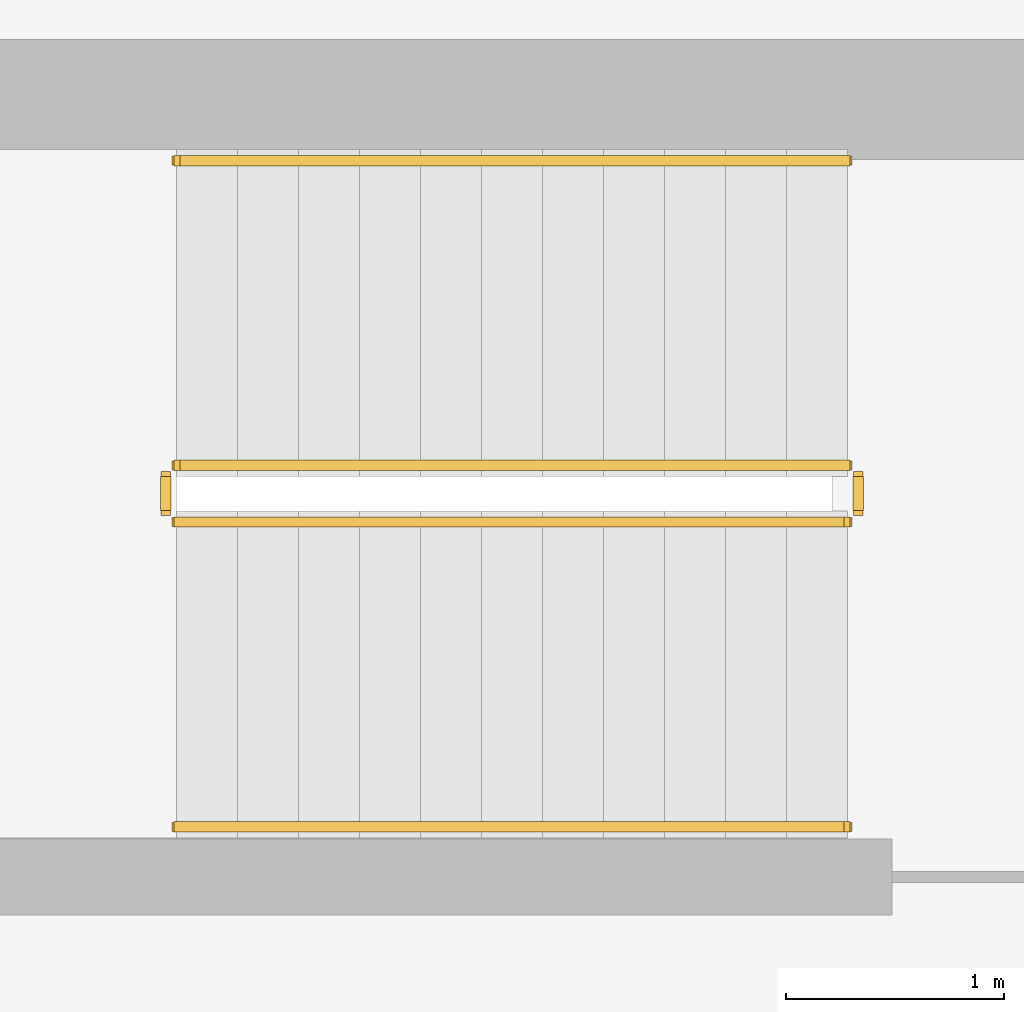
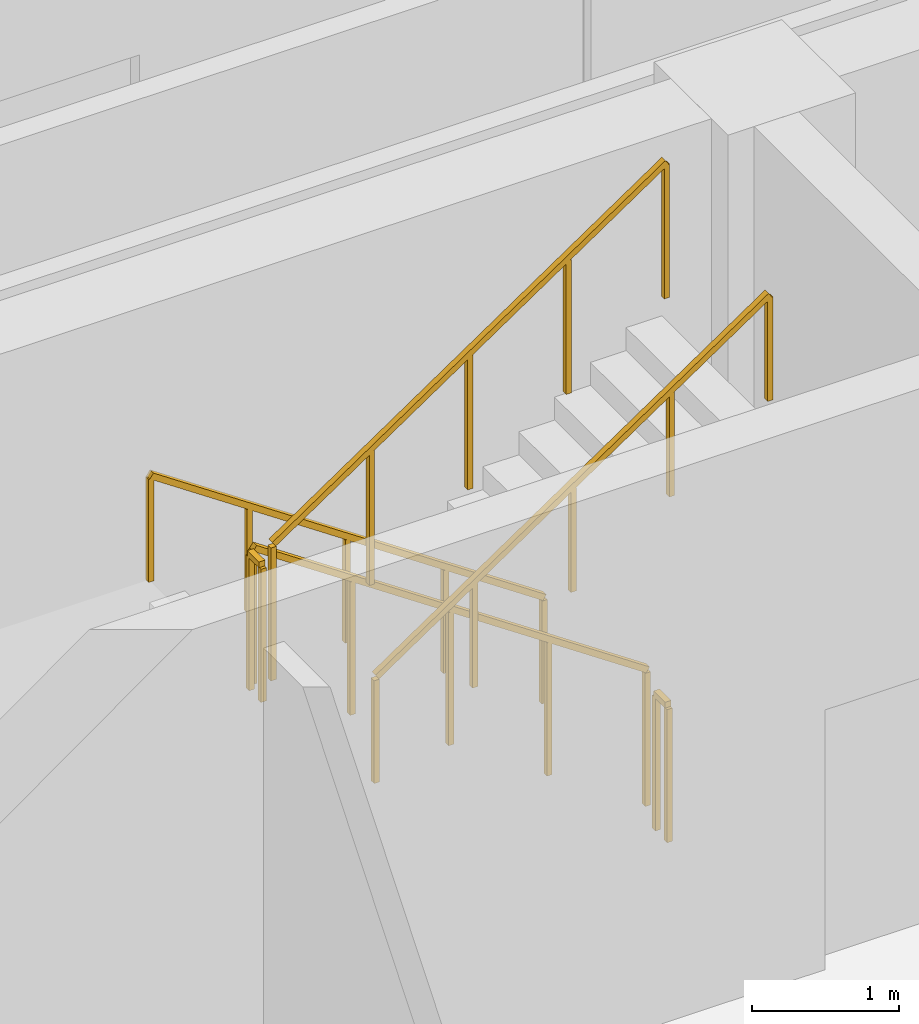
# One storey, part 11 of 13: 6 railings.
"""IFC4 building model written with IfcOpenShell, lengths in metres."""

from ifc_helpers import new_model, si_unit, direction, frame, origin, origin_2d, place, context, subcontext, project, spatial, rectangle, extrude, material, type_object, element, save


model = new_model("IFC4")

# Units and contexts
model_context = context("Model", 3, precision=1e-05, world=origin(), true_north=direction((0.0, 1.0)))
body_context = subcontext(model_context, "Body", "Model", "MODEL_VIEW")
ifc_project = project(units=[si_unit("LENGTHUNIT", "METRE"), si_unit("AREAUNIT", "SQUARE_METRE"), si_unit("VOLUMEUNIT", "CUBIC_METRE"), si_unit("PLANEANGLEUNIT", "RADIAN"), si_unit("MASSUNIT", "GRAM", prefix="KILO")], contexts=[model_context])

# Site, building, storey
site_placement = place(None, origin())
site = spatial("IfcSite", under=ifc_project, at=site_placement, CompositionType="ELEMENT")
building_placement = place(site_placement, origin())
building = spatial("IfcBuilding", under=site, at=building_placement, Name="Zarnavel Station Tower", CompositionType="ELEMENT")
storey_placement = place(building_placement, frame((0.0, 0.0, 183.85009765625)))
storey = spatial("IfcBuildingStorey", under=building, at=storey_placement, Name="L50", CompositionType="ELEMENT", Elevation=183.85009765625)

# Railings
ifc_material_1 = material(Name="Painted Steel S355J2 Balustrade", Category="steel")
railing_type_1 = type_object("IfcRailingType", Name="GR_INT_1150", PredefinedType="GUARDRAIL", material=ifc_material_1)
railing_1_placement = place(storey_placement, frame((19.47998046875, 35.3701171875, 0.189453125)))
element("IfcRailing", 1, at=railing_1_placement, inside=storey, type_object=railing_type_1, Name="L50 ST1 stair guard 1", PredefinedType="GUARDRAIL", context=body_context, shape_type="SweptSolid", body=[
    extrude(rectangle(XDim=0.048095703125, YDim=0.048095703125, at=origin_2d()), frame((-0.001708984375, 0.0, 1.126953125), z_axis=(-0.828050405681, 0.0, 0.560653659268), x_axis=(0.0, -1.0, 0.0)), (0.0, 0.0, 1.0), 3.715576171875),
    extrude(rectangle(XDim=0.0419921875, YDim=0.0419921875, at=origin_2d()), origin(), (0.0, 0.0, 1.0), 1.101806640625),
    extrude(rectangle(XDim=0.0419921875, YDim=0.0419921875, at=origin_2d()), frame((-0.77001953125, 0.0, 0.521484375)), (0.0, 0.0, 1.0), 1.101806640625),
    extrude(rectangle(XDim=0.0419921875, YDim=0.0419921875, at=origin_2d()), frame((-1.5400390625, 0.0, 1.042724609375)), (0.0, 0.0, 1.0), 1.101806640625),
    extrude(rectangle(XDim=0.0419921875, YDim=0.0419921875, at=origin_2d()), frame((-2.31005859375, 0.0, 1.56396484375)), (0.0, 0.0, 1.0), 1.101806640625),
    extrude(rectangle(XDim=0.0419921875, YDim=0.0419921875, at=origin_2d()), frame((-3.080078125, 0.0, 2.08544921875)), (0.0, 0.0, 1.0), 1.101806640625),
])
railing_2_placement = place(storey_placement, frame((16.35009765625, 35.320068359375, 2.27490234375)))
element("IfcRailing", 2, at=railing_2_placement, inside=storey, type_object=railing_type_1, Name="L50 ST1 stair guard 2", PredefinedType="GUARDRAIL", context=body_context, shape_type="SweptSolid", body=[
    extrude(rectangle(XDim=0.048095703125, YDim=0.048095703125, at=origin_2d()), frame((0.0, -0.001953125, 1.1259765625), z_axis=(0.0, -1.0, 0.0), x_axis=(1.0, 0.0, 0.0)), (0.0, 0.0, 1.0), 0.15625),
    extrude(rectangle(XDim=0.0419921875, YDim=0.0419921875, at=origin_2d()), origin(), (0.0, 0.0, 1.0), 1.101806640625),
    extrude(rectangle(XDim=0.0419921875, YDim=0.0419921875, at=origin_2d()), frame((0.0, -0.16015625, 0.0)), (0.0, 0.0, 1.0), 1.101806640625),
])
railing_3_placement = place(storey_placement, frame((16.39990234375, 35.110107421875, 2.464599609375)))
element("IfcRailing", 3, at=railing_3_placement, inside=storey, type_object=railing_type_1, Name="L50 ST1 stair guard 3", PredefinedType="GUARDRAIL", context=body_context, shape_type="SweptSolid", body=[
    extrude(rectangle(XDim=0.048095703125, YDim=0.048095703125, at=origin_2d()), frame((0.001708984375, 0.0, 1.126953125), z_axis=(0.828080876567, 0.0, 0.560608653041), x_axis=(0.0, 1.0, 0.0)), (0.0, 0.0, 1.0), 3.715576171875),
    extrude(rectangle(XDim=0.0419921875, YDim=0.0419921875, at=origin_2d()), origin(), (0.0, 0.0, 1.0), 1.101806640625),
    extrude(rectangle(XDim=0.0419921875, YDim=0.0419921875, at=origin_2d()), frame((0.77001953125, 0.0, 0.521240234375)), (0.0, 0.0, 1.0), 1.101806640625),
    extrude(rectangle(XDim=0.0419921875, YDim=0.0419921875, at=origin_2d()), frame((1.5400390625, 0.0, 1.04248046875)), (0.0, 0.0, 1.0), 1.101806640625),
    extrude(rectangle(XDim=0.0419921875, YDim=0.0419921875, at=origin_2d()), frame((2.31005859375, 0.0, 1.56396484375)), (0.0, 0.0, 1.0), 1.101806640625),
    extrude(rectangle(XDim=0.0419921875, YDim=0.0419921875, at=origin_2d()), frame((3.080078125, 0.0, 2.085205078125)), (0.0, 0.0, 1.0), 1.101806640625),
])
railing_4_placement = place(storey_placement, frame((19.530029296875, 35.320068359375, 0.0)))
element("IfcRailing", 4, at=railing_4_placement, inside=storey, type_object=railing_type_1, Name="L50 ST1 stair guard 4", PredefinedType="GUARDRAIL", context=body_context, shape_type="SweptSolid", body=[
    extrude(rectangle(XDim=0.048095703125, YDim=0.048095703125, at=origin_2d()), frame((0.0, -0.001953125, 1.1259765625), z_axis=(0.0, -1.0, 0.0), x_axis=(1.0, 0.0, 0.0)), (0.0, 0.0, 1.0), 0.15625),
    extrude(rectangle(XDim=0.0419921875, YDim=0.0419921875, at=origin_2d()), origin(), (0.0, 0.0, 1.0), 1.101806640625),
    extrude(rectangle(XDim=0.0419921875, YDim=0.0419921875, at=origin_2d()), frame((0.0, -0.16015625, 0.0)), (0.0, 0.0, 1.0), 1.101806640625),
])
ifc_material_2 = material(Name="Brushed Stainless Steel S355J2 Handrail", Category="steel")
railing_type_2 = type_object("IfcRailingType", Name="HR_STAIR_900", PredefinedType="HANDRAIL", material=ifc_material_2)
railing_5_placement = place(storey_placement, frame((19.47998046875, 36.77001953125, 0.189453125)))
element("IfcRailing", 5, at=railing_5_placement, inside=storey, type_object=railing_type_2, Name="L50 ST1 stair handrail 1", PredefinedType="HANDRAIL", context=body_context, shape_type="SweptSolid", body=[
    extrude(rectangle(XDim=0.048095703125, YDim=0.048095703125, at=origin_2d()), frame((-0.001708984375, 0.0, 0.876953125), z_axis=(-0.828050405681, 0.0, 0.560653659268), x_axis=(0.0, -1.0, 0.0)), (0.0, 0.0, 1.0), 3.715576171875),
    extrude(rectangle(XDim=0.0419921875, YDim=0.0419921875, at=origin_2d()), origin(), (0.0, 0.0, 1.0), 0.851806640625),
    extrude(rectangle(XDim=0.0419921875, YDim=0.0419921875, at=origin_2d()), frame((-0.77001953125, 0.0, 0.521484375)), (0.0, 0.0, 1.0), 0.851806640625),
    extrude(rectangle(XDim=0.0419921875, YDim=0.0419921875, at=origin_2d()), frame((-1.5400390625, 0.0, 1.042724609375)), (0.0, 0.0, 1.0), 0.851806640625),
    extrude(rectangle(XDim=0.0419921875, YDim=0.0419921875, at=origin_2d()), frame((-2.31005859375, 0.0, 1.56396484375)), (0.0, 0.0, 1.0), 0.851806640625),
    extrude(rectangle(XDim=0.0419921875, YDim=0.0419921875, at=origin_2d()), frame((-3.080078125, 0.0, 2.08544921875)), (0.0, 0.0, 1.0), 0.851806640625),
])
railing_6_placement = place(storey_placement, frame((16.39990234375, 33.7099609375, 2.464599609375)))
element("IfcRailing", 6, at=railing_6_placement, inside=storey, type_object=railing_type_2, Name="L50 ST1 stair handrail 2", PredefinedType="HANDRAIL", context=body_context, shape_type="SweptSolid", body=[
    extrude(rectangle(XDim=0.048095703125, YDim=0.048095703125, at=origin_2d()), frame((0.001708984375, 0.0, 0.876953125), z_axis=(0.828080876567, 0.0, 0.560608653041), x_axis=(0.0, 1.0, 0.0)), (0.0, 0.0, 1.0), 3.715576171875),
    extrude(rectangle(XDim=0.0419921875, YDim=0.0419921875, at=origin_2d()), origin(), (0.0, 0.0, 1.0), 0.851806640625),
    extrude(rectangle(XDim=0.0419921875, YDim=0.0419921875, at=origin_2d()), frame((0.77001953125, 0.0, 0.521240234375)), (0.0, 0.0, 1.0), 0.851806640625),
    extrude(rectangle(XDim=0.0419921875, YDim=0.0419921875, at=origin_2d()), frame((1.5400390625, 0.0, 1.04248046875)), (0.0, 0.0, 1.0), 0.851806640625),
    extrude(rectangle(XDim=0.0419921875, YDim=0.0419921875, at=origin_2d()), frame((2.31005859375, 0.0, 1.56396484375)), (0.0, 0.0, 1.0), 0.851806640625),
    extrude(rectangle(XDim=0.0419921875, YDim=0.0419921875, at=origin_2d()), frame((3.080078125, 0.0, 2.085205078125)), (0.0, 0.0, 1.0), 0.851806640625),
])

save(model, "model.ifc")
